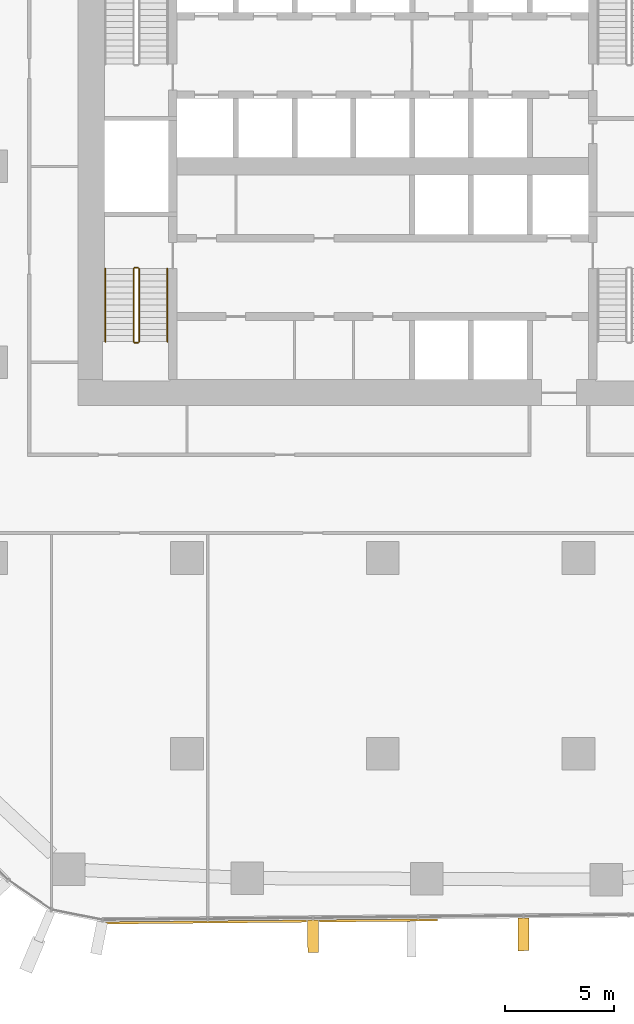
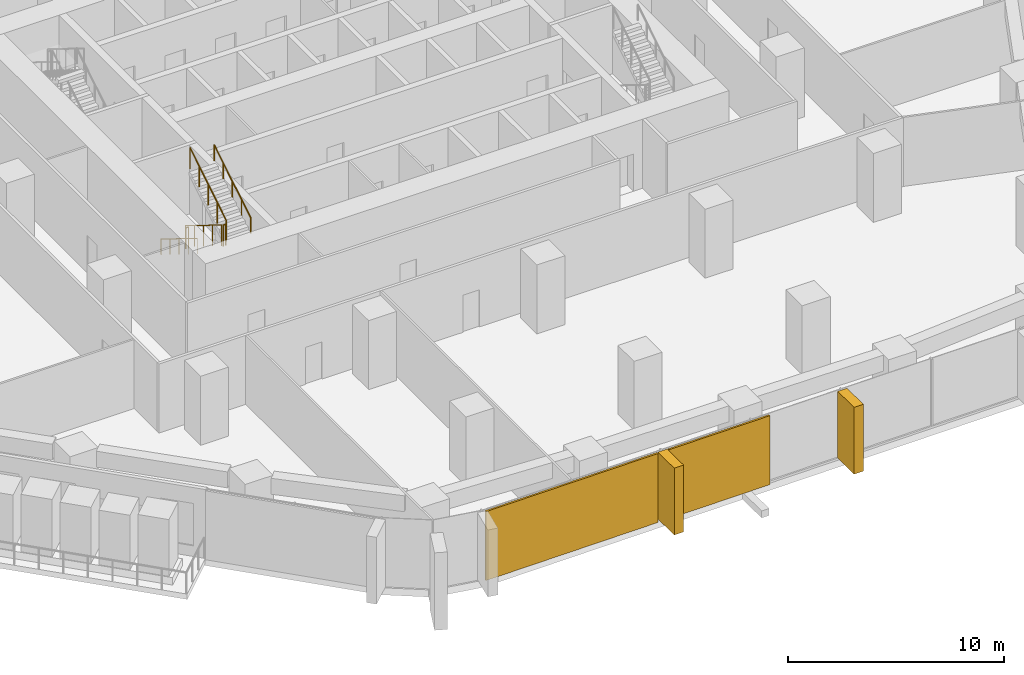
# One storey, part 18 of 23: 6 railings, 4 coverings, 1 element without a shape of its own.
"""IFC4 building model written with IfcOpenShell, lengths in metres."""

from ifc_helpers import new_model, si_unit, direction, frame, origin, origin_2d, place, context, subcontext, project, spatial, rectangle, circle, extrude, material, layer, layer_set, material_profile, profile_set, type_object, element, aggregate, save


model = new_model("IFC4")

# Units and contexts
model_context = context("Model", 3, precision=1e-05, world=origin(), true_north=direction((0.0, 1.0)))
body_context = subcontext(model_context, "Body", "Model", "MODEL_VIEW")
ifc_project = project(units=[si_unit("LENGTHUNIT", "METRE"), si_unit("AREAUNIT", "SQUARE_METRE"), si_unit("VOLUMEUNIT", "CUBIC_METRE"), si_unit("PLANEANGLEUNIT", "RADIAN"), si_unit("MASSUNIT", "GRAM", prefix="KILO")], contexts=[model_context])

# Site, building, storey
site_placement = place(None, origin())
site = spatial("IfcSite", under=ifc_project, at=site_placement, CompositionType="ELEMENT")
building_placement = place(site_placement, origin())
building = spatial("IfcBuilding", under=site, at=building_placement, Name="Dongbaek Canopy Tower", CompositionType="ELEMENT")
storey_placement = place(building_placement, frame((0.0, 0.0, 84.699951171875)))
storey = spatial("IfcBuildingStorey", under=building, at=storey_placement, Name="L17", CompositionType="ELEMENT", Elevation=84.699951171875)

# Curtain wall, coverings
ifc_material_1 = material(Name="Aluminium 6063-T6 pale anodised", Category="aluminium")
ifc_layer_1 = layer(ifc_material_1, 0.199951171875)
ifc_layer_set_1 = layer_set([ifc_layer_1], Name="CW-1 unitised tower curtain wall")
curtain_wall_type = type_object("IfcCurtainWallType", Name="CW-1 unitised tower curtain wall", PredefinedType="NOTDEFINED", material=ifc_layer_set_1)
curtain_wall_placement = place(storey_placement, origin())
curtain_wall = element("IfcCurtainWall", 1, at=curtain_wall_placement, inside=storey, type_object=curtain_wall_type, Name="CW-1 curtain wall F4.1", PredefinedType="NOTDEFINED")
ifc_material_2 = material(Name="Perforated aluminium 6063-T6 pale metal screen", Category="aluminium")
ifc_layer_2 = layer(ifc_material_2, 0.10009765625)
ifc_layer_set_2 = layer_set([ifc_layer_2], Name="Facet screen FS1 100 pale metal")
covering_type_1 = type_object("IfcCoveringType", Name="Facet screen FS1 100 pale metal", PredefinedType="CLADDING", material=ifc_layer_set_2)
covering_1_placement = place(storey_placement, frame((-8.126220703125, -34.73681640625, 0.0), z_axis=(0.0, 0.0, 1.0), x_axis=(0.99995766764, 0.009201245977, 0.0)))
covering_1 = element("IfcCovering", 2, at=covering_1_placement, type_object=covering_type_1, Name="Facet screen L17 F4", PredefinedType="CLADDING", context=body_context, shape_type="SweptSolid", body=[
    extrude(rectangle(XDim=9.256591796875, YDim=0.10009765625, at=origin_2d()), origin(), (0.0, 0.0, 1.0), 3.89990234375),
])
covering_2_placement = place(storey_placement, frame((-0.197509765625, -34.663818359375, 0.0), z_axis=(0.0, 0.0, 1.0), x_axis=(0.99995766764, 0.009201245977, 0.0)))
covering_2 = element("IfcCovering", 3, at=covering_2_placement, type_object=covering_type_1, Name="Facet screen L17 F4", PredefinedType="CLADDING", context=body_context, shape_type="SweptSolid", body=[
    extrude(rectangle(XDim=5.44140625, YDim=0.10009765625, at=origin_2d()), origin(), (0.0, 0.0, 1.0), 3.89990234375),
])
ifc_material_3 = material(Name="Aluminium 6063-T6 pale metal fin", Category="aluminium")
ifc_material_profile = material_profile(ifc_material_3, rectangle(XDim=1.5, YDim=0.5, at=origin_2d()), Name="Fin FN1 500 x 1500 pale metal")
ifc_profile_set = profile_set([ifc_material_profile], Name="Aluminium 6063-T6 pale metal fin")
covering_type_2 = type_object("IfcCoveringType", Name="Fin FN1 500 x 1500 pale metal", PredefinedType="CLADDING", material=ifc_profile_set)
covering_3_placement = place(storey_placement, frame((-3.20166015625, -35.3955078125, 0.1201171875), z_axis=(0.0, 0.0, 1.0), x_axis=(0.009200905705, -0.999957670771, 0.0)))
covering_3 = element("IfcCovering", 4, at=covering_3_placement, type_object=covering_type_2, Name="Fin F4.1.3", PredefinedType="CLADDING", context=body_context, shape_type="SweptSolid", body=[
    extrude(rectangle(XDim=1.5, YDim=0.5, at=origin_2d()), origin(), (0.0, 0.0, 1.0), 3.780029296875),
])
covering_4_placement = place(storey_placement, frame((6.47265625, -35.306640625, 0.1201171875), z_axis=(0.0, 0.0, 1.0), x_axis=(0.009200905705, -0.999957670771, 0.0)))
covering_4 = element("IfcCovering", 5, at=covering_4_placement, type_object=covering_type_2, Name="Fin F4.1.5", PredefinedType="CLADDING", context=body_context, shape_type="SweptSolid", body=[
    extrude(rectangle(XDim=1.5, YDim=0.5, at=origin_2d()), origin(), (0.0, 0.0, 1.0), 3.780029296875),
])
aggregate(curtain_wall, [covering_3, covering_4, covering_1, covering_2])

# Railings
ifc_material_4 = material(Name="Stainless steel tube and balusters", Category="steel")
railing_type_1 = type_object("IfcRailingType", Name="Stair guard 1200", PredefinedType="GUARDRAIL", material=ifc_material_4)
railing_1_placement = place(storey_placement, frame((-11.449951171875, -4.699951171875, 0.173095703125)))
element("IfcRailing", 6, at=railing_1_placement, inside=storey, type_object=railing_type_1, Name="L17 ST-D stair guard 1", PredefinedType="GUARDRAIL", context=body_context, shape_type="SweptSolid", body=[
    extrude(circle(Radius=0.02392578125, at=origin_2d()), frame((0.0, 0.0, 1.17578125), z_axis=(0.0, -0.850623216509, 0.525775754039), x_axis=(1.0, 0.0, 0.0)), (0.0, 0.0, 1.0), 3.9501953125),
    extrude(circle(Radius=0.02099609375, at=origin_2d()), origin(), (0.0, 0.0, 1.0), 1.15185546875),
    extrude(circle(Radius=0.02099609375, at=origin_2d()), frame((0.0, -0.840087890625, 0.519287109375)), (0.0, 0.0, 1.0), 1.15185546875),
    extrude(circle(Radius=0.02099609375, at=origin_2d()), frame((0.0, -1.68017578125, 1.03857421875)), (0.0, 0.0, 1.0), 1.15185546875),
    extrude(circle(Radius=0.02099609375, at=origin_2d()), frame((0.0, -2.52001953125, 1.5576171875)), (0.0, 0.0, 1.0), 1.15185546875),
    extrude(circle(Radius=0.02099609375, at=origin_2d()), frame((0.0, -3.360107421875, 2.076904296875)), (0.0, 0.0, 1.0), 1.15185546875),
])
railing_2_placement = place(storey_placement, frame((-11.39990234375, -8.110107421875, 2.25)))
element("IfcRailing", 7, at=railing_2_placement, inside=storey, type_object=railing_type_1, Name="L17 ST-D stair guard 2", PredefinedType="GUARDRAIL", context=body_context, shape_type="SweptSolid", body=[
    extrude(circle(Radius=0.02392578125, at=origin_2d()), frame((0.0, 0.0, 1.17578125), z_axis=(1.0, 0.0, 0.0), x_axis=(0.0, 1.0, 0.0)), (0.0, 0.0, 1.0), 0.14990234375),
    extrude(circle(Radius=0.02099609375, at=origin_2d()), origin(), (0.0, 0.0, 1.0), 1.15185546875),
    extrude(circle(Radius=0.02099609375, at=origin_2d()), frame((0.14990234375, 0.0, 0.0)), (0.0, 0.0, 1.0), 1.15185546875),
])
railing_3_placement = place(storey_placement, frame((-11.199951171875, -8.06005859375, 2.423095703125)))
element("IfcRailing", 8, at=railing_3_placement, inside=storey, type_object=railing_type_1, Name="L17 ST-D stair guard 3", PredefinedType="GUARDRAIL", context=body_context, shape_type="SweptSolid", body=[
    extrude(circle(Radius=0.02392578125, at=origin_2d()), frame((0.0, 0.0, 1.17578125), z_axis=(0.0, 0.850623216509, 0.525775754039), x_axis=(-1.0, 0.0, 0.0)), (0.0, 0.0, 1.0), 3.9501953125),
    extrude(circle(Radius=0.02099609375, at=origin_2d()), origin(), (0.0, 0.0, 1.0), 1.15185546875),
    extrude(circle(Radius=0.02099609375, at=origin_2d()), frame((0.0, 0.840087890625, 0.519287109375)), (0.0, 0.0, 1.0), 1.15185546875),
    extrude(circle(Radius=0.02099609375, at=origin_2d()), frame((0.0, 1.68017578125, 1.03857421875)), (0.0, 0.0, 1.0), 1.15185546875),
    extrude(circle(Radius=0.02099609375, at=origin_2d()), frame((0.0, 2.52001953125, 1.5576171875)), (0.0, 0.0, 1.0), 1.15185546875),
    extrude(circle(Radius=0.02099609375, at=origin_2d()), frame((0.0, 3.360107421875, 2.076904296875)), (0.0, 0.0, 1.0), 1.15185546875),
])
railing_4_placement = place(storey_placement, frame((-11.39990234375, -4.64990234375, 0.0)))
element("IfcRailing", 9, at=railing_4_placement, inside=storey, type_object=railing_type_1, Name="L17 ST-D stair guard 4", PredefinedType="GUARDRAIL", context=body_context, shape_type="SweptSolid", body=[
    extrude(circle(Radius=0.02392578125, at=origin_2d()), frame((0.0, 0.0, 1.17578125), z_axis=(1.0, 0.0, 0.0), x_axis=(0.0, 1.0, 0.0)), (0.0, 0.0, 1.0), 0.14990234375),
    extrude(circle(Radius=0.02099609375, at=origin_2d()), origin(), (0.0, 0.0, 1.0), 1.15185546875),
    extrude(circle(Radius=0.02099609375, at=origin_2d()), frame((0.14990234375, 0.0, 0.0)), (0.0, 0.0, 1.0), 1.15185546875),
])
ifc_material_5 = material(Name="Stainless steel tube", Category="steel")
railing_type_2 = type_object("IfcRailingType", Name="Stair handrail 900", PredefinedType="HANDRAIL", material=ifc_material_5)
railing_5_placement = place(storey_placement, frame((-12.75, -4.699951171875, 0.173095703125)))
element("IfcRailing", 10, at=railing_5_placement, inside=storey, type_object=railing_type_2, Name="L17 ST-D stair handrail 1", PredefinedType="HANDRAIL", context=body_context, shape_type="SweptSolid", body=[
    extrude(circle(Radius=0.02392578125, at=origin_2d()), frame((0.0, 0.0, 0.8759765625), z_axis=(0.0, -0.850623216509, 0.525775754039), x_axis=(1.0, 0.0, 0.0)), (0.0, 0.0, 1.0), 3.9501953125),
    extrude(circle(Radius=0.02099609375, at=origin_2d()), origin(), (0.0, 0.0, 1.0), 0.851806640625),
    extrude(circle(Radius=0.02099609375, at=origin_2d()), frame((0.0, -0.840087890625, 0.519287109375)), (0.0, 0.0, 1.0), 0.851806640625),
    extrude(circle(Radius=0.02099609375, at=origin_2d()), frame((0.0, -1.68017578125, 1.03857421875)), (0.0, 0.0, 1.0), 0.851806640625),
    extrude(circle(Radius=0.02099609375, at=origin_2d()), frame((0.0, -2.52001953125, 1.5576171875)), (0.0, 0.0, 1.0), 0.851806640625),
    extrude(circle(Radius=0.02099609375, at=origin_2d()), frame((0.0, -3.360107421875, 2.076904296875)), (0.0, 0.0, 1.0), 0.851806640625),
])
railing_6_placement = place(storey_placement, frame((-9.89990234375, -8.06005859375, 2.423095703125)))
element("IfcRailing", 11, at=railing_6_placement, inside=storey, type_object=railing_type_2, Name="L17 ST-D stair handrail 2", PredefinedType="HANDRAIL", context=body_context, shape_type="SweptSolid", body=[
    extrude(circle(Radius=0.02392578125, at=origin_2d()), frame((0.0, 0.0, 0.8759765625), z_axis=(0.0, 0.850623216509, 0.525775754039), x_axis=(-1.0, 0.0, 0.0)), (0.0, 0.0, 1.0), 3.9501953125),
    extrude(circle(Radius=0.02099609375, at=origin_2d()), origin(), (0.0, 0.0, 1.0), 0.851806640625),
    extrude(circle(Radius=0.02099609375, at=origin_2d()), frame((0.0, 0.840087890625, 0.519287109375)), (0.0, 0.0, 1.0), 0.851806640625),
    extrude(circle(Radius=0.02099609375, at=origin_2d()), frame((0.0, 1.68017578125, 1.03857421875)), (0.0, 0.0, 1.0), 0.851806640625),
    extrude(circle(Radius=0.02099609375, at=origin_2d()), frame((0.0, 2.52001953125, 1.5576171875)), (0.0, 0.0, 1.0), 0.851806640625),
    extrude(circle(Radius=0.02099609375, at=origin_2d()), frame((0.0, 3.360107421875, 2.076904296875)), (0.0, 0.0, 1.0), 0.851806640625),
])

save(model, "model.ifc")
